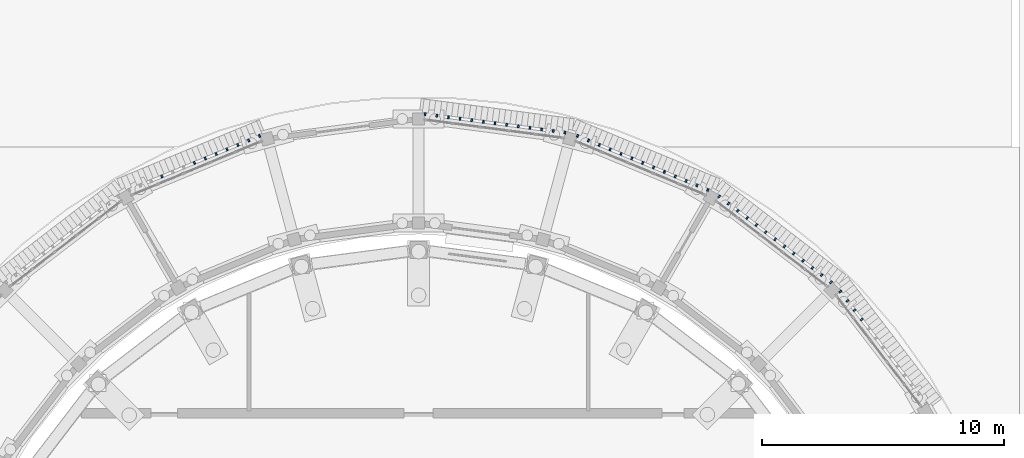
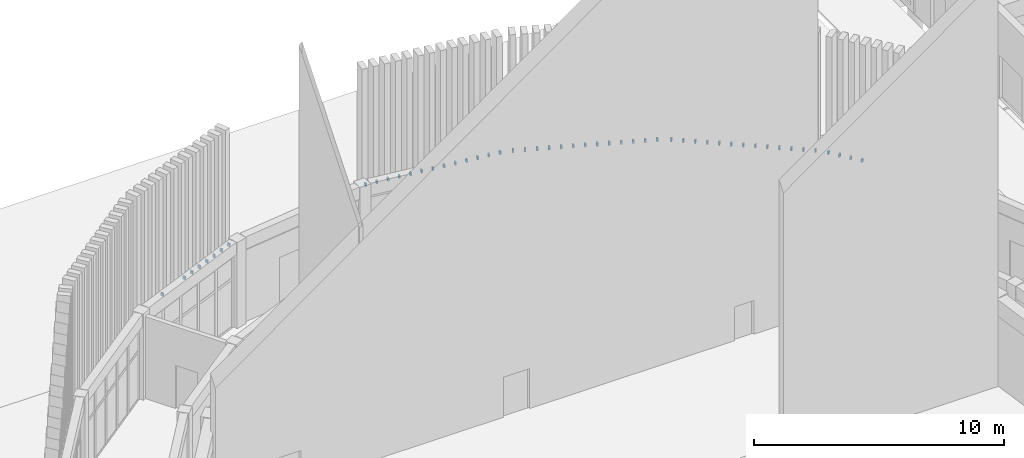
# One storey, part 88 of 112: 51 discrete accessories.
"""IFC4 building model written with IfcOpenShell, lengths in metres."""

from ifc_helpers import new_model, si_unit, direction, frame, origin, origin_2d, place, context, subcontext, project, spatial, rectangle, extrude, material, type_object, element, save


model = new_model("IFC4")

# Units and contexts
model_context = context("Model", 3, precision=1e-05, world=origin(), true_north=direction((0.0, 1.0)))
body_context = subcontext(model_context, "Body", "Model", "MODEL_VIEW")
ifc_project = project(units=[si_unit("LENGTHUNIT", "METRE"), si_unit("AREAUNIT", "SQUARE_METRE"), si_unit("VOLUMEUNIT", "CUBIC_METRE"), si_unit("PLANEANGLEUNIT", "RADIAN"), si_unit("MASSUNIT", "GRAM", prefix="KILO")], contexts=[model_context])

# Site, building, storey
site_placement = place(None, origin())
site = spatial("IfcSite", under=ifc_project, at=site_placement, CompositionType="ELEMENT")
building_placement = place(site_placement, origin())
building = spatial("IfcBuilding", under=site, at=building_placement, Name="Wasatch Bagh Community Centre", CompositionType="ELEMENT")
storey_placement = place(building_placement, origin())
storey = spatial("IfcBuildingStorey", under=building, at=storey_placement, Name="L00", CompositionType="ELEMENT", Elevation=0.0)

# Discrete accessories
ifc_material = material(Name="ASTM A36 steel", Category="steel")
discrete_accessory_type = type_object("IfcDiscreteAccessoryType", Name="Drum fin bracket", PredefinedType="BRACKET", material=ifc_material)
for number, where, z_axis, x_axis, name in (
    (1, (54.29638671875, 80.873046875, 3.824951171875), (0.0, 0.0, 1.0), (-0.608761429009, 0.793353340291, 0.0), "Fin bracket 21.10.1"),
    (2, (54.001220703125, 81.2578125, 3.824951171875), (0.0, 0.0, 1.0), (-0.608761429009, 0.793353340291, 0.0), "Fin bracket 21.11.1"),
    (3, (53.705810546875, 81.642578125, 3.824951171875), (0.0, 0.0, 1.0), (-0.608761429009, 0.793353340291, 0.0), "Fin bracket 21.12.1"),
    (4, (53.41064453125, 82.02734375, 3.824951171875), (0.0, 0.0, 1.0), (-0.608761429009, 0.793353340291, 0.0), "Fin bracket 21.13.1"),
    (5, (53.02734375, 82.41064453125, 3.824951171875), (0.0, 0.0, 1.0), (-0.793353340291, 0.608761429009, 0.0), "Fin bracket 22.1.1"),
    (6, (52.642578125, 82.705810546875, 3.824951171875), (0.0, 0.0, 1.0), (-0.793353340291, 0.608761429009, 0.0), "Fin bracket 22.2.1"),
    (7, (52.2578125, 83.001220703125, 3.824951171875), (0.0, 0.0, 1.0), (-0.793353340291, 0.608761429009, 0.0), "Fin bracket 22.3.1"),
    (8, (51.873046875, 83.29638671875, 3.824951171875), (0.0, 0.0, 1.0), (-0.793353340291, 0.608761429009, 0.0), "Fin bracket 22.4.1"),
    (9, (51.48828125, 83.591552734375, 3.824951171875), (0.0, 0.0, 1.0), (-0.793353340291, 0.608761429009, 0.0), "Fin bracket 22.5.1"),
    (10, (51.103515625, 83.88671875, 3.824951171875), (0.0, 0.0, 1.0), (-0.793353340291, 0.608761429009, 0.0), "Fin bracket 22.6.1"),
    (11, (50.718994140625, 84.18212890625, 3.824951171875), (0.0, 0.0, 1.0), (-0.793353340291, 0.608761429009, 0.0), "Fin bracket 22.7.1"),
    (12, (50.334228515625, 84.477294921875, 3.824951171875), (0.0, 0.0, 1.0), (-0.793353340291, 0.608761429009, 0.0), "Fin bracket 22.8.1"),
    (13, (49.949462890625, 84.7724609375, 3.824951171875), (0.0, 0.0, 1.0), (-0.793353340291, 0.608761429009, 0.0), "Fin bracket 22.9.1"),
    (14, (49.564697265625, 85.067626953125, 3.824951171875), (0.0, 0.0, 1.0), (-0.793353340291, 0.608761429009, 0.0), "Fin bracket 22.10.1"),
    (15, (49.179931640625, 85.36279296875, 3.824951171875), (0.0, 0.0, 1.0), (-0.793353340291, 0.608761429009, 0.0), "Fin bracket 22.11.1"),
    (16, (48.795166015625, 85.658203125, 3.824951171875), (0.0, 0.0, 1.0), (-0.793353340291, 0.608761429009, 0.0), "Fin bracket 22.12.1"),
    (17, (48.410400390625, 85.953369140625, 3.824951171875), (0.0, 0.0, 1.0), (-0.793353340291, 0.608761429009, 0.0), "Fin bracket 22.13.1"),
    (18, (47.94091796875, 86.224365234375, 3.824951171875), (0.0, 0.0, 1.0), (-0.923879532511, 0.382683432365, 0.0), "Fin bracket 23.1.1"),
    (19, (47.492919921875, 86.409912109375, 3.824951171875), (0.0, 0.0, 1.0), (-0.923879532511, 0.382683432365, 0.0), "Fin bracket 23.2.1"),
    (20, (47.044921875, 86.595703125, 3.824951171875), (0.0, 0.0, 1.0), (-0.923879532511, 0.382683432365, 0.0), "Fin bracket 23.3.1"),
    (21, (46.5966796875, 86.78125, 3.824951171875), (0.0, 0.0, 1.0), (-0.923879532511, 0.382683432365, 0.0), "Fin bracket 23.4.1"),
    (22, (46.148681640625, 86.966796875, 3.824951171875), (0.0, 0.0, 1.0), (-0.923879532511, 0.382683432365, 0.0), "Fin bracket 23.5.1"),
    (23, (45.70068359375, 87.15234375, 3.824951171875), (0.0, 0.0, 1.0), (-0.923879532511, 0.382683432365, 0.0), "Fin bracket 23.6.1"),
    (24, (45.252685546875, 87.337890625, 3.824951171875), (0.0, 0.0, 1.0), (-0.923879532511, 0.382683432365, 0.0), "Fin bracket 23.7.1"),
    (25, (44.8046875, 87.5234375, 3.824951171875), (0.0, 0.0, 1.0), (-0.923879532511, 0.382683432365, 0.0), "Fin bracket 23.8.1"),
    (26, (44.356689453125, 87.708984375, 3.824951171875), (0.0, 0.0, 1.0), (-0.923879532511, 0.382683432365, 0.0), "Fin bracket 23.9.1"),
    (27, (43.908447265625, 87.894775390625, 3.824951171875), (0.0, 0.0, 1.0), (-0.923879532511, 0.382683432365, 0.0), "Fin bracket 23.10.1"),
    (28, (43.46044921875, 88.080322265625, 3.824951171875), (0.0, 0.0, 1.0), (-0.923879532511, 0.382683432365, 0.0), "Fin bracket 23.11.1"),
    (29, (43.012451171875, 88.265869140625, 3.824951171875), (0.0, 0.0, 1.0), (-0.923879532511, 0.382683432365, 0.0), "Fin bracket 23.12.1"),
    (30, (42.564453125, 88.451416015625, 3.824951171875), (0.0, 0.0, 1.0), (-0.923879532511, 0.382683432365, 0.0), "Fin bracket 23.13.1"),
    (31, (42.040771484375, 88.591796875, 3.824951171875), (0.0, 0.0, 1.0), (-0.991444861374, 0.13052619222, 0.0), "Fin bracket 24.1.1"),
    (32, (41.56005859375, 88.655029296875, 3.824951171875), (0.0, 0.0, 1.0), (-0.991444861374, 0.13052619222, 0.0), "Fin bracket 24.2.1"),
    (33, (41.0791015625, 88.71826171875, 3.824951171875), (0.0, 0.0, 1.0), (-0.991444861374, 0.13052619222, 0.0), "Fin bracket 24.3.1"),
    (34, (40.598388671875, 88.78173828125, 3.824951171875), (0.0, 0.0, 1.0), (-0.991444861374, 0.13052619222, 0.0), "Fin bracket 24.4.1"),
    (35, (40.117431640625, 88.844970703125, 3.824951171875), (0.0, 0.0, 1.0), (-0.991444861374, 0.13052619222, 0.0), "Fin bracket 24.5.1"),
    (36, (39.63671875, 88.908203125, 3.824951171875), (0.0, 0.0, 1.0), (-0.991444861374, 0.13052619222, 0.0), "Fin bracket 24.6.1"),
    (37, (39.156005859375, 88.971435546875, 3.824951171875), (0.0, 0.0, 1.0), (-0.991444861374, 0.13052619222, 0.0), "Fin bracket 24.7.1"),
    (38, (38.675048828125, 89.034912109375, 3.824951171875), (0.0, 0.0, 1.0), (-0.991444861374, 0.13052619222, 0.0), "Fin bracket 24.8.1"),
    (39, (38.1943359375, 89.09814453125, 3.824951171875), (0.0, 0.0, 1.0), (-0.991444861374, 0.13052619222, 0.0), "Fin bracket 24.9.1"),
    (40, (37.71337890625, 89.161376953125, 3.824951171875), (0.0, 0.0, 1.0), (-0.991444861374, 0.13052619222, 0.0), "Fin bracket 24.10.1"),
    (41, (37.232666015625, 89.224853515625, 3.824951171875), (0.0, 0.0, 1.0), (-0.991444861374, 0.13052619222, 0.0), "Fin bracket 24.11.1"),
    (42, (36.751953125, 89.2880859375, 3.824951171875), (0.0, 0.0, 1.0), (-0.991444861374, 0.13052619222, 0.0), "Fin bracket 24.12.1"),
    (43, (36.27099609375, 89.351318359375, 3.824951171875), (0.0, 0.0, 1.0), (-0.991444861374, 0.13052619222, 0.0), "Fin bracket 24.13.1"),
    (44, (29.435546875, 88.451416015625, 3.824951171875), (0.0, 0.0, 1.0), (-0.923879532511, -0.382683432365, 0.0), "Fin bracket 26.1.1"),
    (45, (28.987548828125, 88.265869140625, 3.824951171875), (0.0, 0.0, 1.0), (-0.923879532511, -0.382683432365, 0.0), "Fin bracket 26.2.1"),
    (46, (28.53955078125, 88.080322265625, 3.824951171875), (0.0, 0.0, 1.0), (-0.923879532511, -0.382683432365, 0.0), "Fin bracket 26.3.1"),
    (47, (28.091552734375, 87.894775390625, 3.824951171875), (0.0, 0.0, 1.0), (-0.923879532511, -0.382683432365, 0.0), "Fin bracket 26.4.1"),
    (48, (27.643310546875, 87.708984375, 3.824951171875), (0.0, 0.0, 1.0), (-0.923879532511, -0.382683432365, 0.0), "Fin bracket 26.5.1"),
    (49, (27.1953125, 87.5234375, 3.824951171875), (0.0, 0.0, 1.0), (-0.923879532511, -0.382683432365, 0.0), "Fin bracket 26.6.1"),
    (50, (26.747314453125, 87.337890625, 3.824951171875), (0.0, 0.0, 1.0), (-0.923879532511, -0.382683432365, 0.0), "Fin bracket 26.7.1"),
    (51, (25.4033203125, 86.78125, 3.824951171875), (0.0, 0.0, 1.0), (-0.923879532511, -0.382683432365, 0.0), "Fin bracket 26.10.1"),
):
    element("IfcDiscreteAccessory", number, at=place(storey_placement, frame(where, z_axis=z_axis, x_axis=x_axis)), inside=storey, type_object=discrete_accessory_type, Name=name, PredefinedType="BRACKET", context=body_context, shape_type="SweptSolid", body=[
        extrude(rectangle(XDim=0.070068359375, YDim=0.1201171875, at=origin_2d()), origin(), (0.0, 0.0, 1.0), 0.14990234375),
    ])

save(model, "model.ifc")
